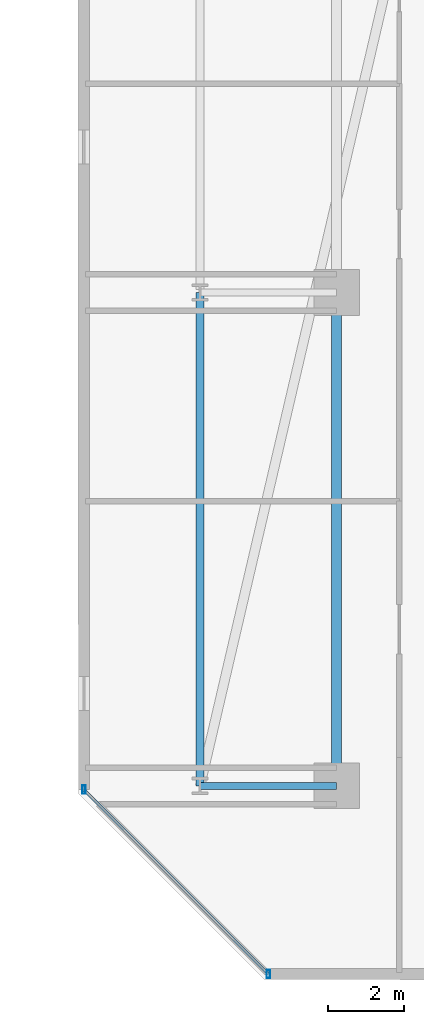
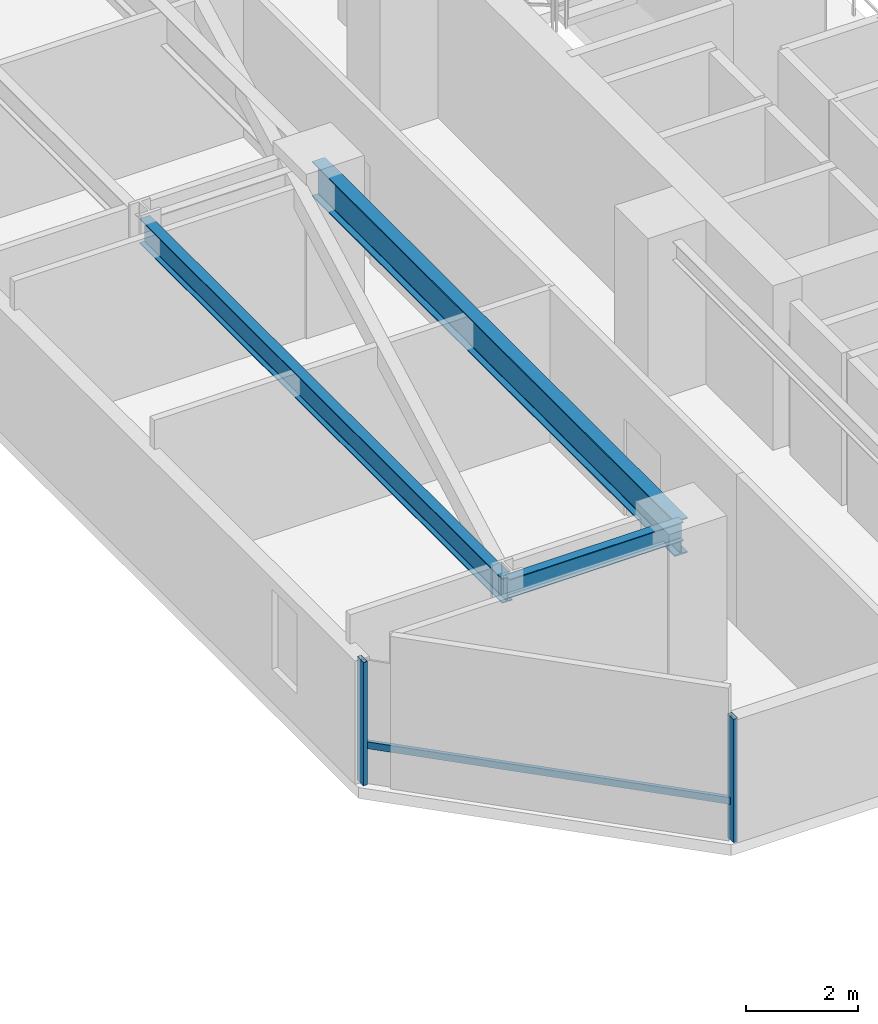
# One storey, part 6 of 31: 3 beams, 3 members, 1 element without a shape of its own.
"""IFC4 building model written with IfcOpenShell, lengths in metres."""

from ifc_helpers import new_model, si_unit, direction, frame, origin, origin_2d, place, context, subcontext, project, spatial, hollow_rectangle, i_section, extrude, material, material_profile, profile_set, type_object, element, aggregate, save


model = new_model("IFC4")

# Units and contexts
model_context = context("Model", 3, precision=1e-05, world=origin(), true_north=direction((0.0, 1.0)))
body_context = subcontext(model_context, "Body", "Model", "MODEL_VIEW")
ifc_project = project(units=[si_unit("LENGTHUNIT", "METRE"), si_unit("AREAUNIT", "SQUARE_METRE"), si_unit("VOLUMEUNIT", "CUBIC_METRE"), si_unit("PLANEANGLEUNIT", "RADIAN"), si_unit("MASSUNIT", "GRAM", prefix="KILO")], contexts=[model_context])

# Site, building, storey
site_placement = place(None, origin())
site = spatial("IfcSite", under=ifc_project, at=site_placement, CompositionType="ELEMENT")
building_placement = place(site_placement, origin())
building = spatial("IfcBuilding", under=site, at=building_placement, Name="Thornwick Lancets Civic Towers", CompositionType="ELEMENT")
storey_placement = place(building_placement, frame((0.0, 0.0, 90.89990234375)))
storey = spatial("IfcBuildingStorey", under=building, at=storey_placement, Name="L23", CompositionType="ELEMENT", Elevation=90.89990234375)

# Beams
ifc_material_1 = material(Name="Steel S355JR", Category="steel")
ifc_material_profile_1 = material_profile(ifc_material_1, i_section(OverallWidth=0.2119140625, OverallDepth=0.54443359375, WebThickness=0.0126953125, FlangeThickness=0.021240234375, FilletRadius=0.0126953125, at=origin_2d()), Name="UKB 533x210x122")
ifc_profile_set_1 = profile_set([ifc_material_profile_1], Name="Steel S355JR")
beam_type_1 = type_object("IfcBeamType", Name="BM_EDGE_533_122", PredefinedType="SPANDREL", material=ifc_profile_set_1)
beam_1_placement = place(storey_placement, frame((67.60009765625, 14.0, 3.087890625), z_axis=(0.0, 1.0, 0.0), x_axis=(-1.0, 0.0, 0.0)))
element("IfcBeam", 1, at=beam_1_placement, inside=storey, type_object=beam_type_1, Name="BM-EDGE-L23-B-S2-1", PredefinedType="SPANDREL", context=body_context, shape_type="SweptSolid", body=[
    extrude(i_section(OverallWidth=0.2119140625, OverallDepth=0.54443359375, WebThickness=0.0126953125, FlangeThickness=0.021240234375, FilletRadius=0.0126953125, at=origin_2d()), origin(), (0.0, 0.0, 1.0), 13.0),
])
ifc_material_profile_2 = material_profile(ifc_material_1, i_section(OverallWidth=0.26806640625, OverallDepth=0.769775390625, WebThickness=0.015625, FlangeThickness=0.025390625, FilletRadius=0.0166015625, at=origin_2d()), Name="UKB 762x267x197")
ifc_profile_set_2 = profile_set([ifc_material_profile_2], Name="Steel S355JR")
beam_type_2 = type_object("IfcBeamType", Name="BM_GIRD_762_197", PredefinedType="BEAM", material=ifc_profile_set_2)
beam_2_placement = place(storey_placement, frame((71.199951171875, 14.0, 2.97509765625), z_axis=(0.0, 1.0, 0.0), x_axis=(-1.0, 0.0, 0.0)))
element("IfcBeam", 2, at=beam_2_placement, inside=storey, type_object=beam_type_2, Name="BM-SPINE-L23-B-6-7", PredefinedType="BEAM", context=body_context, shape_type="SweptSolid", body=[
    extrude(i_section(OverallWidth=0.26806640625, OverallDepth=0.769775390625, WebThickness=0.015625, FlangeThickness=0.025390625, FilletRadius=0.0166015625, at=origin_2d()), origin(), (0.0, 0.0, 1.0), 13.0),
])
ifc_material_profile_3 = material_profile(ifc_material_1, i_section(OverallWidth=0.179443359375, OverallDepth=0.412841796875, WebThickness=0.009521484375, FlangeThickness=0.01611328125, FilletRadius=0.01025390625, at=origin_2d()), Name="UKB 406x178x74")
ifc_profile_set_3 = profile_set([ifc_material_profile_3], Name="Steel S355JR")
beam_type_3 = type_object("IfcBeamType", Name="BM_JOIST_406_74", PredefinedType="JOIST", material=ifc_profile_set_3)
beam_3_placement = place(storey_placement, frame((71.199951171875, 14.0, 3.15380859375), z_axis=(-1.0, 0.0, 0.0), x_axis=(0.0, -1.0, 0.0)))
element("IfcBeam", 3, at=beam_3_placement, inside=storey, type_object=beam_type_3, Name="BM-RAD-L23-B07", PredefinedType="JOIST", context=body_context, shape_type="SweptSolid", body=[
    extrude(i_section(OverallWidth=0.179443359375, OverallDepth=0.412841796875, WebThickness=0.009521484375, FlangeThickness=0.01611328125, FilletRadius=0.01025390625, at=origin_2d()), origin(), (0.0, 0.0, 1.0), 3.599853515625),
])

# Curtain wall, members
ifc_material_2 = material(Name="Low-zone chamfered-corner unitised glass curtain wall", Category="glass")
curtain_wall_type = type_object("IfcCurtainWallType", Name="CW_SYS_03", PredefinedType="NOTDEFINED", material=ifc_material_2)
curtain_wall_placement = place(storey_placement, origin())
curtain_wall = element("IfcCurtainWall", 4, at=curtain_wall_placement, inside=storey, type_object=curtain_wall_type, Name="L23 Curtain Wall CW-L23-B-E7", PredefinedType="NOTDEFINED")
ifc_material_3 = material(Name="Thermally broken bronze aluminium S355", Category="steel")
ifc_material_profile_4 = material_profile(ifc_material_3, hollow_rectangle(XDim=0.090087890625, YDim=0.219970703125, WallThickness=0.00634765625, at=origin_2d()), Name="RHS 220x90x6.3")
ifc_profile_set_4 = profile_set([ifc_material_profile_4], Name="Thermally broken bronze aluminium S355")
member_type_1 = type_object("IfcMemberType", Name="CW_MUL_220", PredefinedType="MULLION", material=ifc_profile_set_4)
member_1_placement = place(storey_placement, frame((64.542724609375, 13.900634765625, 0.0), z_axis=(0.0, 0.0, 1.0), x_axis=(1.0, 0.0, 0.0)))
member_1 = element("IfcMember", 5, at=member_1_placement, type_object=member_type_1, Name="CW-L23-B-E7 Mullion 0", PredefinedType="MULLION", context=body_context, shape_type="SweptSolid", body=[
    extrude(hollow_rectangle(XDim=0.090087890625, YDim=0.219970703125, WallThickness=0.00634765625, at=origin_2d()), origin(), (0.0, 0.0, 1.0), 2.7001953125),
])
member_2_placement = place(storey_placement, frame((69.400634765625, 9.042724609375, 0.0), z_axis=(0.0, 0.0, 1.0), x_axis=(1.0, 0.0, 0.0)))
member_2 = element("IfcMember", 6, at=member_2_placement, type_object=member_type_1, Name="CW-L23-B-E7 Mullion 1", PredefinedType="MULLION", context=body_context, shape_type="SweptSolid", body=[
    extrude(hollow_rectangle(XDim=0.090087890625, YDim=0.219970703125, WallThickness=0.00634765625, at=origin_2d()), origin(), (0.0, 0.0, 1.0), 2.7001953125),
])
ifc_material_profile_5 = material_profile(ifc_material_3, hollow_rectangle(XDim=0.074951171875, YDim=0.14990234375, WallThickness=0.0048828125, at=origin_2d()), Name="RHS 150x75x5")
ifc_profile_set_5 = profile_set([ifc_material_profile_5], Name="Thermally broken bronze aluminium S355")
member_type_2 = type_object("IfcMemberType", Name="CW_TRN_150", PredefinedType="USERDEFINED", material=ifc_profile_set_5)
member_3_placement = place(storey_placement, frame((64.556884765625, 13.88671875, 0.85009765625), z_axis=(0.707106781187, -0.707106781187, 0.0), x_axis=(0.707106781187, 0.707106781187, 0.0)))
member_3 = element("IfcMember", 7, at=member_3_placement, type_object=member_type_2, Name="CW-L23-B-E7 Transom 0", ObjectType="TRANSOM", PredefinedType="USERDEFINED", context=body_context, shape_type="SweptSolid", body=[
    extrude(hollow_rectangle(XDim=0.074951171875, YDim=0.14990234375, WallThickness=0.0048828125, at=origin_2d()), origin(), (0.0, 0.0, 1.0), 6.830322265625),
])
aggregate(curtain_wall, [member_1, member_2, member_3])

save(model, "model.ifc")
